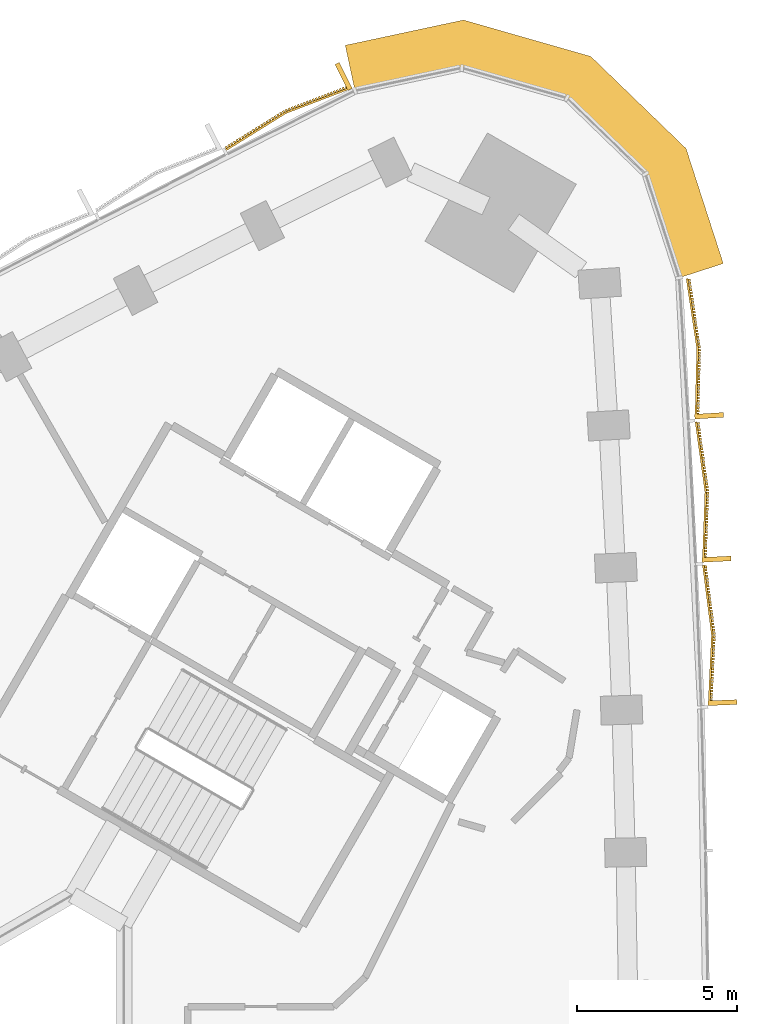
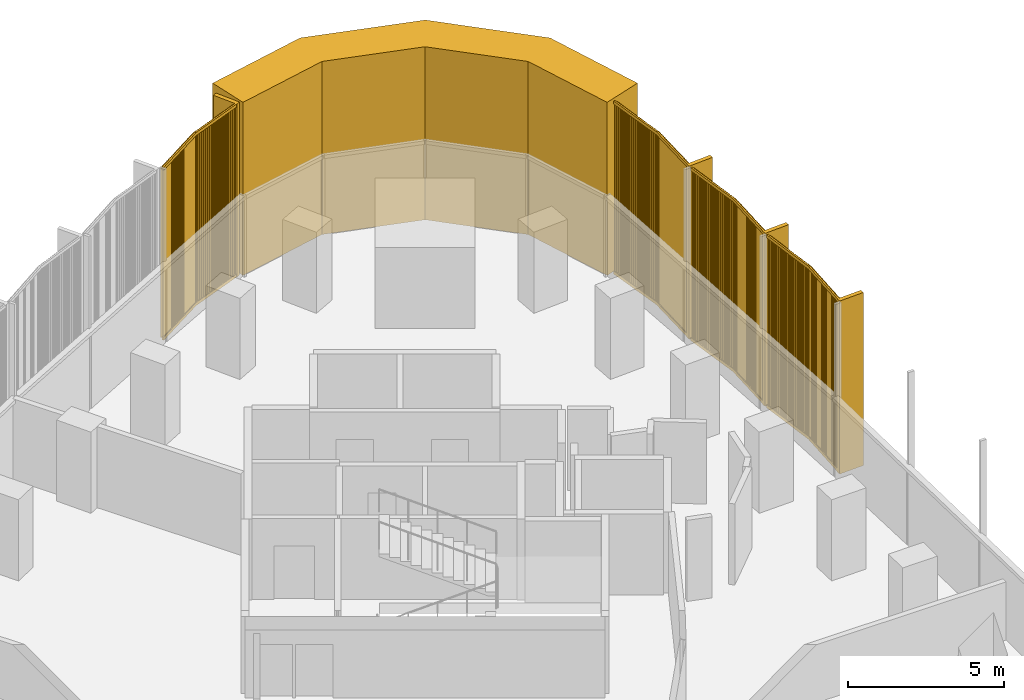
# One storey, part 15 of 15: 5 coverings.
"""IFC4 building model written with IfcOpenShell, lengths in metres."""

from ifc_helpers import new_model, si_unit, direction, frame, frame_2d, origin, place, context, subcontext, project, spatial, polyline, rectangle, outline, extrude, source, transform, mapped, material, layer, layer_set, type_object, element, save


model = new_model("IFC4")

# Units and contexts
model_context = context("Model", 3, precision=1e-05, world=origin(), true_north=direction((0.0, 1.0)))
body_context = subcontext(model_context, "Body", "Model", "MODEL_VIEW")
ifc_project = project(units=[si_unit("LENGTHUNIT", "METRE"), si_unit("AREAUNIT", "SQUARE_METRE"), si_unit("VOLUMEUNIT", "CUBIC_METRE"), si_unit("PLANEANGLEUNIT", "RADIAN"), si_unit("MASSUNIT", "GRAM", prefix="KILO")], contexts=[model_context])

# Site, building, storey
site_placement = place(None, origin())
site = spatial("IfcSite", under=ifc_project, at=site_placement, CompositionType="ELEMENT")
building_placement = place(site_placement, origin())
building = spatial("IfcBuilding", under=site, at=building_placement, Name="Tamra Quay Hotel Tower", CompositionType="ELEMENT")
storey_placement = place(building_placement, frame((0.0, 0.0, 90.199951171875)))
storey = spatial("IfcBuildingStorey", under=building, at=storey_placement, Name="L21", CompositionType="ELEMENT", Elevation=90.199951171875)

# Coverings
ifc_material_1 = material(Name="Precast concrete M60 terracotta-coloured", Category="masonry")
ifc_layer = layer(ifc_material_1, 1.449951171875)
ifc_layer_set = layer_set([ifc_layer], Name="CORNER PIER PANEL")
covering_type_1 = type_object("IfcCoveringType", Name="CORNER PIER PANEL", PredefinedType="CLADDING", material=ifc_layer_set)
covering_1_placement = place(storey_placement, origin())
element("IfcCovering", 1, at=covering_1_placement, inside=storey, type_object=covering_type_1, Name="Corner pier L21.east", PredefinedType="CLADDING", context=body_context, shape_type="SweptSolid", body=[
    extrude(outline(polyline([(22.226318359375, 26.81787109375), (23.60595703125, 27.26416015625), (22.44482421875, 30.853271484375), (19.471923828125, 33.7265625), (15.497314453125, 34.864501953125), (11.808349609375, 34.075439453125), (12.11181640625, 32.657470703125), (15.4462890625, 33.370849609375), (18.724609375, 32.43212890625), (21.1767578125, 30.062255859375), (22.226318359375, 26.81787109375)])), origin(), (0.0, 0.0, 1.0), 6.775146484375),
])
ifc_material_2 = material(Name="Terracotta baguette extruded", Category="masonry")
covering_type_2 = type_object("IfcCoveringType", Name="BAGUETTE SCREEN E-V H6775", PredefinedType="USERDEFINED", material=ifc_material_2)
shared_shape_1 = source(origin(), body_context, "Body", "SweptSolid", [
    extrude(rectangle(XDim=2.200927734375, YDim=0.06005859375, at=frame_2d((1.1005859375, 0.030029296875))), frame((-2.19775390625, -0.057861328125, -0.1201171875), z_axis=(0.0, 0.0, 1.0), x_axis=(0.996194698092, -0.087155742748, 0.0)), (0.0, 0.0, 1.0), 0.1201171875),
    extrude(rectangle(XDim=2.200927734375, YDim=0.06005859375, at=frame_2d((1.1005859375, 0.030029296875))), frame((-2.19775390625, -0.057861328125, -6.77490234375), z_axis=(0.0, 0.0, 1.0), x_axis=(0.996194698092, -0.087155742748, 0.0)), (0.0, 0.0, 1.0), 0.1201171875),
    extrude(rectangle(XDim=0.070068359375, YDim=0.10009765625, at=frame_2d((0.03515625, 0.050048828125))), frame((-2.177734375, -0.13232421875, -6.715087890625)), (0.0, 0.0, 1.0), 6.655029296875),
    extrude(rectangle(XDim=0.070068359375, YDim=0.10009765625, at=frame_2d((0.03515625, 0.050048828125))), frame((-2.078125, -0.14111328125, -6.715087890625)), (0.0, 0.0, 1.0), 6.655029296875),
    extrude(rectangle(XDim=0.070068359375, YDim=0.10009765625, at=frame_2d((0.03515625, 0.050048828125))), frame((-1.978271484375, -0.14990234375, -6.715087890625)), (0.0, 0.0, 1.0), 6.655029296875),
    extrude(rectangle(XDim=0.070068359375, YDim=0.10009765625, at=frame_2d((0.03515625, 0.050048828125))), frame((-1.878662109375, -0.158447265625, -6.715087890625)), (0.0, 0.0, 1.0), 6.655029296875),
    extrude(rectangle(XDim=0.070068359375, YDim=0.10009765625, at=frame_2d((0.03515625, 0.050048828125))), frame((-1.779052734375, -0.167236328125, -6.715087890625)), (0.0, 0.0, 1.0), 6.655029296875),
    extrude(rectangle(XDim=0.070068359375, YDim=0.10009765625, at=frame_2d((0.03515625, 0.050048828125))), frame((-1.679443359375, -0.176025390625, -6.715087890625)), (0.0, 0.0, 1.0), 6.655029296875),
    extrude(rectangle(XDim=0.070068359375, YDim=0.10009765625, at=frame_2d((0.03515625, 0.050048828125))), frame((-1.579833984375, -0.1845703125, -6.715087890625)), (0.0, 0.0, 1.0), 6.655029296875),
    extrude(rectangle(XDim=0.070068359375, YDim=0.10009765625, at=frame_2d((0.03515625, 0.050048828125))), frame((-1.47998046875, -0.193359375, -6.715087890625)), (0.0, 0.0, 1.0), 6.655029296875),
    extrude(rectangle(XDim=0.070068359375, YDim=0.10009765625, at=frame_2d((0.03515625, 0.050048828125))), frame((-1.38037109375, -0.2021484375, -6.715087890625)), (0.0, 0.0, 1.0), 6.655029296875),
    extrude(rectangle(XDim=0.070068359375, YDim=0.10009765625, at=frame_2d((0.03515625, 0.050048828125))), frame((-1.28076171875, -0.2109375, -6.715087890625)), (0.0, 0.0, 1.0), 6.655029296875),
    extrude(rectangle(XDim=0.070068359375, YDim=0.10009765625, at=frame_2d((0.03515625, 0.050048828125))), frame((-1.18115234375, -0.219482421875, -6.715087890625)), (0.0, 0.0, 1.0), 6.655029296875),
    extrude(rectangle(XDim=0.070068359375, YDim=0.10009765625, at=frame_2d((0.03515625, 0.050048828125))), frame((-1.081298828125, -0.228271484375, -6.715087890625)), (0.0, 0.0, 1.0), 6.655029296875),
    extrude(rectangle(XDim=0.070068359375, YDim=0.10009765625, at=frame_2d((0.03515625, 0.050048828125))), frame((-0.981689453125, -0.237060546875, -6.715087890625)), (0.0, 0.0, 1.0), 6.655029296875),
    extrude(rectangle(XDim=0.070068359375, YDim=0.10009765625, at=frame_2d((0.03515625, 0.050048828125))), frame((-0.882080078125, -0.24560546875, -6.715087890625)), (0.0, 0.0, 1.0), 6.655029296875),
    extrude(rectangle(XDim=0.070068359375, YDim=0.10009765625, at=frame_2d((0.03515625, 0.050048828125))), frame((-0.782470703125, -0.25439453125, -6.715087890625)), (0.0, 0.0, 1.0), 6.655029296875),
    extrude(rectangle(XDim=0.070068359375, YDim=0.10009765625, at=frame_2d((0.03515625, 0.050048828125))), frame((-0.682861328125, -0.26318359375, -6.715087890625)), (0.0, 0.0, 1.0), 6.655029296875),
    extrude(rectangle(XDim=0.070068359375, YDim=0.10009765625, at=frame_2d((0.03515625, 0.050048828125))), frame((-0.583251953125, -0.27197265625, -6.715087890625)), (0.0, 0.0, 1.0), 6.655029296875),
    extrude(rectangle(XDim=0.070068359375, YDim=0.10009765625, at=frame_2d((0.03515625, 0.050048828125))), frame((-0.4833984375, -0.280517578125, -6.715087890625)), (0.0, 0.0, 1.0), 6.655029296875),
    extrude(rectangle(XDim=0.070068359375, YDim=0.10009765625, at=frame_2d((0.03515625, 0.050048828125))), frame((-0.3837890625, -0.289306640625, -6.715087890625)), (0.0, 0.0, 1.0), 6.655029296875),
    extrude(rectangle(XDim=0.070068359375, YDim=0.10009765625, at=frame_2d((0.03515625, 0.050048828125))), frame((-0.2841796875, -0.298095703125, -6.715087890625)), (0.0, 0.0, 1.0), 6.655029296875),
    extrude(rectangle(XDim=0.070068359375, YDim=0.10009765625, at=frame_2d((0.03515625, 0.050048828125))), frame((-0.1845703125, -0.306640625, -6.715087890625)), (0.0, 0.0, 1.0), 6.655029296875),
    extrude(rectangle(XDim=0.070068359375, YDim=0.10009765625, at=frame_2d((0.03515625, 0.050048828125))), frame((-0.084716796875, -0.3154296875, -6.715087890625)), (0.0, 0.0, 1.0), 6.655029296875),
    extrude(rectangle(XDim=2.200927734375, YDim=0.06005859375, at=frame_2d((1.1005859375, 0.030029296875))), frame((0.005126953125, -0.24951171875, -0.1201171875), z_axis=(0.0, 0.0, 1.0), x_axis=(0.996194698092, 0.087155742748, 0.0)), (0.0, 0.0, 1.0), 0.1201171875),
    extrude(rectangle(XDim=2.200927734375, YDim=0.06005859375, at=frame_2d((1.1005859375, 0.030029296875))), frame((0.005126953125, -0.24951171875, -6.77490234375), z_axis=(0.0, 0.0, 1.0), x_axis=(0.996194698092, 0.087155742748, 0.0)), (0.0, 0.0, 1.0), 0.1201171875),
    extrude(rectangle(XDim=0.070068359375, YDim=0.10009765625, at=frame_2d((0.03515625, 0.050048828125))), frame((0.014892578125, -0.3154296875, -6.715087890625)), (0.0, 0.0, 1.0), 6.655029296875),
    extrude(rectangle(XDim=0.070068359375, YDim=0.10009765625, at=frame_2d((0.03515625, 0.050048828125))), frame((0.114501953125, -0.306640625, -6.715087890625)), (0.0, 0.0, 1.0), 6.655029296875),
    extrude(rectangle(XDim=0.070068359375, YDim=0.10009765625, at=frame_2d((0.03515625, 0.050048828125))), frame((0.214111328125, -0.298095703125, -6.715087890625)), (0.0, 0.0, 1.0), 6.655029296875),
    extrude(rectangle(XDim=0.070068359375, YDim=0.10009765625, at=frame_2d((0.03515625, 0.050048828125))), frame((0.313720703125, -0.289306640625, -6.715087890625)), (0.0, 0.0, 1.0), 6.655029296875),
    extrude(rectangle(XDim=0.070068359375, YDim=0.10009765625, at=frame_2d((0.03515625, 0.050048828125))), frame((0.41357421875, -0.280517578125, -6.715087890625)), (0.0, 0.0, 1.0), 6.655029296875),
    extrude(rectangle(XDim=0.070068359375, YDim=0.10009765625, at=frame_2d((0.03515625, 0.050048828125))), frame((0.51318359375, -0.27197265625, -6.715087890625)), (0.0, 0.0, 1.0), 6.655029296875),
    extrude(rectangle(XDim=0.070068359375, YDim=0.10009765625, at=frame_2d((0.03515625, 0.050048828125))), frame((0.61279296875, -0.26318359375, -6.715087890625)), (0.0, 0.0, 1.0), 6.655029296875),
    extrude(rectangle(XDim=0.070068359375, YDim=0.10009765625, at=frame_2d((0.03515625, 0.050048828125))), frame((0.71240234375, -0.25439453125, -6.715087890625)), (0.0, 0.0, 1.0), 6.655029296875),
    extrude(rectangle(XDim=0.070068359375, YDim=0.10009765625, at=frame_2d((0.03515625, 0.050048828125))), frame((0.81201171875, -0.24560546875, -6.715087890625)), (0.0, 0.0, 1.0), 6.655029296875),
    extrude(rectangle(XDim=0.070068359375, YDim=0.10009765625, at=frame_2d((0.03515625, 0.050048828125))), frame((0.911865234375, -0.237060546875, -6.715087890625)), (0.0, 0.0, 1.0), 6.655029296875),
    extrude(rectangle(XDim=0.070068359375, YDim=0.10009765625, at=frame_2d((0.03515625, 0.050048828125))), frame((1.011474609375, -0.228271484375, -6.715087890625)), (0.0, 0.0, 1.0), 6.655029296875),
    extrude(rectangle(XDim=0.070068359375, YDim=0.10009765625, at=frame_2d((0.03515625, 0.050048828125))), frame((1.111083984375, -0.219482421875, -6.715087890625)), (0.0, 0.0, 1.0), 6.655029296875),
    extrude(rectangle(XDim=0.070068359375, YDim=0.10009765625, at=frame_2d((0.03515625, 0.050048828125))), frame((1.210693359375, -0.2109375, -6.715087890625)), (0.0, 0.0, 1.0), 6.655029296875),
    extrude(rectangle(XDim=0.070068359375, YDim=0.10009765625, at=frame_2d((0.03515625, 0.050048828125))), frame((1.310302734375, -0.2021484375, -6.715087890625)), (0.0, 0.0, 1.0), 6.655029296875),
    extrude(rectangle(XDim=0.070068359375, YDim=0.10009765625, at=frame_2d((0.03515625, 0.050048828125))), frame((1.41015625, -0.193359375, -6.715087890625)), (0.0, 0.0, 1.0), 6.655029296875),
    extrude(rectangle(XDim=0.070068359375, YDim=0.10009765625, at=frame_2d((0.03515625, 0.050048828125))), frame((1.509765625, -0.1845703125, -6.715087890625)), (0.0, 0.0, 1.0), 6.655029296875),
    extrude(rectangle(XDim=0.070068359375, YDim=0.10009765625, at=frame_2d((0.03515625, 0.050048828125))), frame((1.609375, -0.176025390625, -6.715087890625)), (0.0, 0.0, 1.0), 6.655029296875),
    extrude(rectangle(XDim=0.070068359375, YDim=0.10009765625, at=frame_2d((0.03515625, 0.050048828125))), frame((1.708984375, -0.167236328125, -6.715087890625)), (0.0, 0.0, 1.0), 6.655029296875),
    extrude(rectangle(XDim=0.070068359375, YDim=0.10009765625, at=frame_2d((0.03515625, 0.050048828125))), frame((1.80859375, -0.158447265625, -6.715087890625)), (0.0, 0.0, 1.0), 6.655029296875),
    extrude(rectangle(XDim=0.070068359375, YDim=0.10009765625, at=frame_2d((0.03515625, 0.050048828125))), frame((1.908447265625, -0.14990234375, -6.715087890625)), (0.0, 0.0, 1.0), 6.655029296875),
    extrude(rectangle(XDim=0.070068359375, YDim=0.10009765625, at=frame_2d((0.03515625, 0.050048828125))), frame((2.008056640625, -0.14111328125, -6.715087890625)), (0.0, 0.0, 1.0), 6.655029296875),
    extrude(rectangle(XDim=0.070068359375, YDim=0.10009765625, at=frame_2d((0.03515625, 0.050048828125))), frame((2.107666015625, -0.13232421875, -6.715087890625)), (0.0, 0.0, 1.0), 6.655029296875),
    extrude(rectangle(XDim=0.14990234375, YDim=0.902099609375, at=frame_2d((0.074951171875, 0.451171875))), frame((-2.1923828125, -0.89990234375, -6.77490234375)), (0.0, 0.0, 1.0), 6.77490234375),
])
for number, where, z_axis, x_axis, name in (
    (2, (23.04345703125, 15.66064453125, 6.775146484375), (0.0, 0.0, 1.0), (-0.039943885581, 0.99920192454, 0.0), "Baguette screen L21.E.f09"),
    (3, (22.839111328125, 20.131591796875, 6.775146484375), (0.0, 0.0, 1.0), (-0.051320736558, 0.998682222731, 0.0), "Baguette screen L21.E.f10"),
    (4, (22.583984375, 24.599609375, 6.775146484375), (0.0, 0.0, 1.0), (-0.062669917068, 0.998034308776, 0.0), "Baguette screen L21.E.f11"),
):
    element("IfcCovering", number, at=place(storey_placement, frame(where, z_axis=z_axis, x_axis=x_axis)), inside=storey, type_object=covering_type_2, Name=name, ObjectType="BAGUETTE SCREEN", PredefinedType="USERDEFINED", context=body_context, shape_type="MappedRepresentation", body=[
        mapped(shared_shape_1, transform((0.0, 0.0, 0.0), scale=1.0)),
    ])
covering_type_3 = type_object("IfcCoveringType", Name="BAGUETTE SCREEN NW-V H6775", PredefinedType="USERDEFINED", material=ifc_material_2)
shared_shape_2 = source(origin(), body_context, "Body", "SweptSolid", [
    extrude(rectangle(XDim=2.20263671875, YDim=0.06005859375, at=frame_2d((1.101318359375, 0.030029296875))), frame((-2.1982421875, -0.0576171875, -0.1201171875), z_axis=(0.0, 0.0, 1.0), x_axis=(0.995396198367, -0.09584575252, 0.0)), (0.0, 0.0, 1.0), 0.1201171875),
    extrude(rectangle(XDim=2.20263671875, YDim=0.06005859375, at=frame_2d((1.101318359375, 0.030029296875))), frame((-2.1982421875, -0.0576171875, -6.77490234375), z_axis=(0.0, 0.0, 1.0), x_axis=(0.995396198367, -0.09584575252, 0.0)), (0.0, 0.0, 1.0), 0.1201171875),
    extrude(rectangle(XDim=0.070068359375, YDim=0.10009765625, at=frame_2d((0.03515625, 0.050048828125))), frame((-2.177734375, -0.1328125, -6.715087890625)), (0.0, 0.0, 1.0), 6.655029296875),
    extrude(rectangle(XDim=0.070068359375, YDim=0.10009765625, at=frame_2d((0.03515625, 0.050048828125))), frame((-2.078125, -0.142333984375, -6.715087890625)), (0.0, 0.0, 1.0), 6.655029296875),
    extrude(rectangle(XDim=0.070068359375, YDim=0.10009765625, at=frame_2d((0.03515625, 0.050048828125))), frame((-1.978271484375, -0.152099609375, -6.715087890625)), (0.0, 0.0, 1.0), 6.655029296875),
    extrude(rectangle(XDim=0.070068359375, YDim=0.10009765625, at=frame_2d((0.03515625, 0.050048828125))), frame((-1.878662109375, -0.16162109375, -6.715087890625)), (0.0, 0.0, 1.0), 6.655029296875),
    extrude(rectangle(XDim=0.070068359375, YDim=0.10009765625, at=frame_2d((0.03515625, 0.050048828125))), frame((-1.779052734375, -0.171142578125, -6.715087890625)), (0.0, 0.0, 1.0), 6.655029296875),
    extrude(rectangle(XDim=0.070068359375, YDim=0.10009765625, at=frame_2d((0.03515625, 0.050048828125))), frame((-1.679443359375, -0.1806640625, -6.715087890625)), (0.0, 0.0, 1.0), 6.655029296875),
    extrude(rectangle(XDim=0.070068359375, YDim=0.10009765625, at=frame_2d((0.03515625, 0.050048828125))), frame((-1.579833984375, -0.1904296875, -6.715087890625)), (0.0, 0.0, 1.0), 6.655029296875),
    extrude(rectangle(XDim=0.070068359375, YDim=0.10009765625, at=frame_2d((0.03515625, 0.050048828125))), frame((-1.47998046875, -0.199951171875, -6.715087890625)), (0.0, 0.0, 1.0), 6.655029296875),
    extrude(rectangle(XDim=0.070068359375, YDim=0.10009765625, at=frame_2d((0.03515625, 0.050048828125))), frame((-1.38037109375, -0.20947265625, -6.715087890625)), (0.0, 0.0, 1.0), 6.655029296875),
    extrude(rectangle(XDim=0.070068359375, YDim=0.10009765625, at=frame_2d((0.03515625, 0.050048828125))), frame((-1.28076171875, -0.21923828125, -6.715087890625)), (0.0, 0.0, 1.0), 6.655029296875),
    extrude(rectangle(XDim=0.070068359375, YDim=0.10009765625, at=frame_2d((0.03515625, 0.050048828125))), frame((-1.18115234375, -0.228759765625, -6.715087890625)), (0.0, 0.0, 1.0), 6.655029296875),
    extrude(rectangle(XDim=0.070068359375, YDim=0.10009765625, at=frame_2d((0.03515625, 0.050048828125))), frame((-1.081298828125, -0.23828125, -6.715087890625)), (0.0, 0.0, 1.0), 6.655029296875),
    extrude(rectangle(XDim=0.070068359375, YDim=0.10009765625, at=frame_2d((0.03515625, 0.050048828125))), frame((-0.981689453125, -0.248046875, -6.715087890625)), (0.0, 0.0, 1.0), 6.655029296875),
    extrude(rectangle(XDim=0.070068359375, YDim=0.10009765625, at=frame_2d((0.03515625, 0.050048828125))), frame((-0.882080078125, -0.257568359375, -6.715087890625)), (0.0, 0.0, 1.0), 6.655029296875),
    extrude(rectangle(XDim=0.070068359375, YDim=0.10009765625, at=frame_2d((0.03515625, 0.050048828125))), frame((-0.782470703125, -0.26708984375, -6.715087890625)), (0.0, 0.0, 1.0), 6.655029296875),
    extrude(rectangle(XDim=0.070068359375, YDim=0.10009765625, at=frame_2d((0.03515625, 0.050048828125))), frame((-0.682861328125, -0.27685546875, -6.715087890625)), (0.0, 0.0, 1.0), 6.655029296875),
    extrude(rectangle(XDim=0.070068359375, YDim=0.10009765625, at=frame_2d((0.03515625, 0.050048828125))), frame((-0.583251953125, -0.286376953125, -6.715087890625)), (0.0, 0.0, 1.0), 6.655029296875),
    extrude(rectangle(XDim=0.070068359375, YDim=0.10009765625, at=frame_2d((0.03515625, 0.050048828125))), frame((-0.4833984375, -0.2958984375, -6.715087890625)), (0.0, 0.0, 1.0), 6.655029296875),
    extrude(rectangle(XDim=0.070068359375, YDim=0.10009765625, at=frame_2d((0.03515625, 0.050048828125))), frame((-0.3837890625, -0.305419921875, -6.715087890625)), (0.0, 0.0, 1.0), 6.655029296875),
    extrude(rectangle(XDim=0.070068359375, YDim=0.10009765625, at=frame_2d((0.03515625, 0.050048828125))), frame((-0.2841796875, -0.315185546875, -6.715087890625)), (0.0, 0.0, 1.0), 6.655029296875),
    extrude(rectangle(XDim=0.070068359375, YDim=0.10009765625, at=frame_2d((0.03515625, 0.050048828125))), frame((-0.1845703125, -0.32470703125, -6.715087890625)), (0.0, 0.0, 1.0), 6.655029296875),
    extrude(rectangle(XDim=0.070068359375, YDim=0.10009765625, at=frame_2d((0.03515625, 0.050048828125))), frame((-0.084716796875, -0.334228515625, -6.715087890625)), (0.0, 0.0, 1.0), 6.655029296875),
    extrude(rectangle(XDim=2.20263671875, YDim=0.06005859375, at=frame_2d((1.101318359375, 0.030029296875))), frame((0.005859375, -0.268798828125, -0.1201171875), z_axis=(0.0, 0.0, 1.0), x_axis=(0.995396198367, 0.09584575252, 0.0)), (0.0, 0.0, 1.0), 0.1201171875),
    extrude(rectangle(XDim=2.20263671875, YDim=0.06005859375, at=frame_2d((1.101318359375, 0.030029296875))), frame((0.005859375, -0.268798828125, -6.77490234375), z_axis=(0.0, 0.0, 1.0), x_axis=(0.995396198367, 0.09584575252, 0.0)), (0.0, 0.0, 1.0), 0.1201171875),
    extrude(rectangle(XDim=0.070068359375, YDim=0.10009765625, at=frame_2d((0.03515625, 0.050048828125))), frame((0.014892578125, -0.334228515625, -6.715087890625)), (0.0, 0.0, 1.0), 6.655029296875),
    extrude(rectangle(XDim=0.070068359375, YDim=0.10009765625, at=frame_2d((0.03515625, 0.050048828125))), frame((0.114501953125, -0.32470703125, -6.715087890625)), (0.0, 0.0, 1.0), 6.655029296875),
    extrude(rectangle(XDim=0.070068359375, YDim=0.10009765625, at=frame_2d((0.03515625, 0.050048828125))), frame((0.214111328125, -0.315185546875, -6.715087890625)), (0.0, 0.0, 1.0), 6.655029296875),
    extrude(rectangle(XDim=0.070068359375, YDim=0.10009765625, at=frame_2d((0.03515625, 0.050048828125))), frame((0.313720703125, -0.305419921875, -6.715087890625)), (0.0, 0.0, 1.0), 6.655029296875),
    extrude(rectangle(XDim=0.070068359375, YDim=0.10009765625, at=frame_2d((0.03515625, 0.050048828125))), frame((0.41357421875, -0.2958984375, -6.715087890625)), (0.0, 0.0, 1.0), 6.655029296875),
    extrude(rectangle(XDim=0.070068359375, YDim=0.10009765625, at=frame_2d((0.03515625, 0.050048828125))), frame((0.51318359375, -0.286376953125, -6.715087890625)), (0.0, 0.0, 1.0), 6.655029296875),
    extrude(rectangle(XDim=0.070068359375, YDim=0.10009765625, at=frame_2d((0.03515625, 0.050048828125))), frame((0.61279296875, -0.27685546875, -6.715087890625)), (0.0, 0.0, 1.0), 6.655029296875),
    extrude(rectangle(XDim=0.070068359375, YDim=0.10009765625, at=frame_2d((0.03515625, 0.050048828125))), frame((0.71240234375, -0.26708984375, -6.715087890625)), (0.0, 0.0, 1.0), 6.655029296875),
    extrude(rectangle(XDim=0.070068359375, YDim=0.10009765625, at=frame_2d((0.03515625, 0.050048828125))), frame((0.81201171875, -0.257568359375, -6.715087890625)), (0.0, 0.0, 1.0), 6.655029296875),
    extrude(rectangle(XDim=0.070068359375, YDim=0.10009765625, at=frame_2d((0.03515625, 0.050048828125))), frame((0.911865234375, -0.248046875, -6.715087890625)), (0.0, 0.0, 1.0), 6.655029296875),
    extrude(rectangle(XDim=0.070068359375, YDim=0.10009765625, at=frame_2d((0.03515625, 0.050048828125))), frame((1.011474609375, -0.23828125, -6.715087890625)), (0.0, 0.0, 1.0), 6.655029296875),
    extrude(rectangle(XDim=0.070068359375, YDim=0.10009765625, at=frame_2d((0.03515625, 0.050048828125))), frame((1.111083984375, -0.228759765625, -6.715087890625)), (0.0, 0.0, 1.0), 6.655029296875),
    extrude(rectangle(XDim=0.070068359375, YDim=0.10009765625, at=frame_2d((0.03515625, 0.050048828125))), frame((1.210693359375, -0.21923828125, -6.715087890625)), (0.0, 0.0, 1.0), 6.655029296875),
    extrude(rectangle(XDim=0.070068359375, YDim=0.10009765625, at=frame_2d((0.03515625, 0.050048828125))), frame((1.310302734375, -0.20947265625, -6.715087890625)), (0.0, 0.0, 1.0), 6.655029296875),
    extrude(rectangle(XDim=0.070068359375, YDim=0.10009765625, at=frame_2d((0.03515625, 0.050048828125))), frame((1.41015625, -0.199951171875, -6.715087890625)), (0.0, 0.0, 1.0), 6.655029296875),
    extrude(rectangle(XDim=0.070068359375, YDim=0.10009765625, at=frame_2d((0.03515625, 0.050048828125))), frame((1.509765625, -0.1904296875, -6.715087890625)), (0.0, 0.0, 1.0), 6.655029296875),
    extrude(rectangle(XDim=0.070068359375, YDim=0.10009765625, at=frame_2d((0.03515625, 0.050048828125))), frame((1.609375, -0.1806640625, -6.715087890625)), (0.0, 0.0, 1.0), 6.655029296875),
    extrude(rectangle(XDim=0.070068359375, YDim=0.10009765625, at=frame_2d((0.03515625, 0.050048828125))), frame((1.708984375, -0.171142578125, -6.715087890625)), (0.0, 0.0, 1.0), 6.655029296875),
    extrude(rectangle(XDim=0.070068359375, YDim=0.10009765625, at=frame_2d((0.03515625, 0.050048828125))), frame((1.80859375, -0.16162109375, -6.715087890625)), (0.0, 0.0, 1.0), 6.655029296875),
    extrude(rectangle(XDim=0.070068359375, YDim=0.10009765625, at=frame_2d((0.03515625, 0.050048828125))), frame((1.908447265625, -0.152099609375, -6.715087890625)), (0.0, 0.0, 1.0), 6.655029296875),
    extrude(rectangle(XDim=0.070068359375, YDim=0.10009765625, at=frame_2d((0.03515625, 0.050048828125))), frame((2.008056640625, -0.142333984375, -6.715087890625)), (0.0, 0.0, 1.0), 6.655029296875),
    extrude(rectangle(XDim=0.070068359375, YDim=0.10009765625, at=frame_2d((0.03515625, 0.050048828125))), frame((2.107666015625, -0.1328125, -6.715087890625)), (0.0, 0.0, 1.0), 6.655029296875),
    extrude(rectangle(XDim=0.14990234375, YDim=0.902099609375, at=frame_2d((0.074951171875, 0.451171875))), frame((-2.1923828125, -0.89990234375, -6.77490234375)), (0.0, 0.0, 1.0), 6.77490234375),
])
covering_2_placement = place(storey_placement, frame((10.060791015625, 31.759765625, 6.775146484375), z_axis=(0.0, 0.0, 1.0), x_axis=(-0.895658023783, -0.444743414154, 0.0)))
element("IfcCovering", 5, at=covering_2_placement, inside=storey, type_object=covering_type_3, Name="Baguette screen L21.NW.f00", ObjectType="BAGUETTE SCREEN", PredefinedType="USERDEFINED", context=body_context, shape_type="MappedRepresentation", body=[
    mapped(shared_shape_2, transform((0.0, 0.0, 0.0), scale=1.0)),
])

save(model, "model.ifc")
